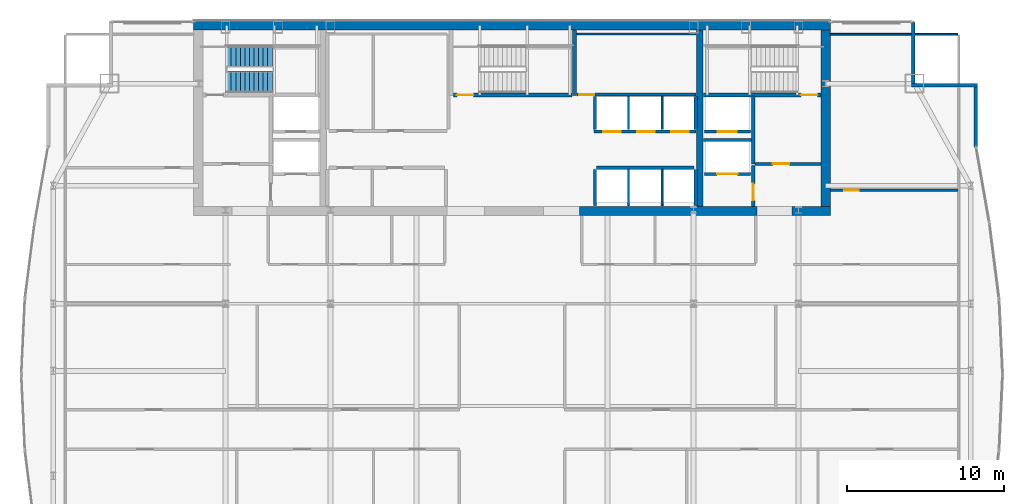
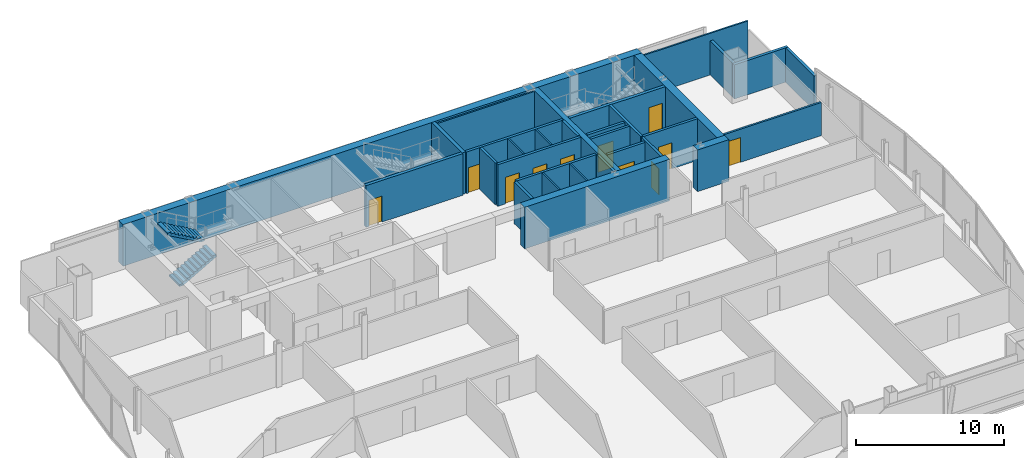
# One storey, part 27 of 30: 31 walls, 11 doors, 2 stair flights, 11 openings, 1 element without a shape of its own.
"""IFC4 building model written with IfcOpenShell, lengths in metres."""

from ifc_helpers import new_model, si_unit, direction, frame, frame_2d, origin, place, context, subcontext, project, spatial, polyline, rectangle, outline, extrude, material, layer, layer_set, type_object, element, fill, aggregate, save


model = new_model("IFC4")

# Units and contexts
model_context = context("Model", 3, precision=1e-05, world=origin(), true_north=direction((0.0, 1.0)))
body_context = subcontext(model_context, "Body", "Model", "MODEL_VIEW")
ifc_project = project(units=[si_unit("LENGTHUNIT", "METRE"), si_unit("AREAUNIT", "SQUARE_METRE"), si_unit("VOLUMEUNIT", "CUBIC_METRE"), si_unit("PLANEANGLEUNIT", "RADIAN"), si_unit("MASSUNIT", "GRAM", prefix="KILO")], contexts=[model_context])

# Site, building, storey
site_placement = place(None, origin())
site = spatial("IfcSite", under=ifc_project, at=site_placement, CompositionType="ELEMENT")
building_placement = place(site_placement, origin())
building = spatial("IfcBuilding", under=site, at=building_placement, Name="Khoronbel Lancet Exchange", CompositionType="ELEMENT")
storey_placement = place(building_placement, frame((0.0, 0.0, 203.0)))
storey = spatial("IfcBuildingStorey", under=building, at=storey_placement, Name="L51", CompositionType="ELEMENT", Elevation=203.0)

# Walls
ifc_material_1 = material(Name="Concrete C60/75", Category="concrete")
ifc_layer_1 = layer(ifc_material_1, 0.60009765625, Name="Concrete C60/75")
ifc_layer_set_1 = layer_set([ifc_layer_1], Name="Concrete C60/75")
wall_type_1 = type_object("IfcWallType", Name="WL-CW3", PredefinedType="SHEAR", material=ifc_layer_set_1)
wall_1_placement = place(storey_placement, frame((16.199951171875, 53.39990234375, 0.0), z_axis=(0.0, 0.0, 1.0), x_axis=(1.0, 0.0, 0.0)))
element("IfcWall", 1, at=wall_1_placement, inside=storey, type_object=wall_type_1, Name="Level L51 rear core north shear wall", PredefinedType="SHEAR", context=body_context, shape_type="SweptSolid", body=[
    extrude(rectangle(XDim=40.5, YDim=0.60009765625, at=frame_2d((20.25, 0.0))), origin(), (0.0, 0.0, 1.0), 3.43994140625),
])
wall_2_placement = place(storey_placement, frame((56.39990234375, 53.10009765625, 0.0), z_axis=(0.0, 0.0, 1.0), x_axis=(0.0, -1.0, 0.0)))
element("IfcWall", 2, at=wall_2_placement, inside=storey, type_object=wall_type_1, Name="Level L51 rear core east shear wall", PredefinedType="SHEAR", context=body_context, shape_type="SweptSolid", body=[
    extrude(rectangle(XDim=11.2001953125, YDim=0.60009765625, at=frame_2d((5.60009765625, 0.0))), origin(), (0.0, 0.0, 1.0), 3.43994140625),
])
wall_3_placement = place(storey_placement, frame((52.050048828125, 41.60009765625, 0.0), z_axis=(0.0, 0.0, 1.0), x_axis=(-1.0, 0.0, 0.0)))
element("IfcWall", 3, at=wall_3_placement, inside=storey, type_object=wall_type_1, Name="Level L51 rear core south shear wall pier P4", PredefinedType="SHEAR", context=body_context, shape_type="SweptSolid", body=[
    extrude(rectangle(XDim=11.300048828125, YDim=0.60009765625, at=frame_2d((5.64990234375, 0.0))), origin(), (0.0, 0.0, 1.0), 3.43994140625),
])
wall_4_placement = place(storey_placement, frame((56.699951171875, 41.60009765625, 0.0), z_axis=(0.0, 0.0, 1.0), x_axis=(-1.0, 0.0, 0.0)))
element("IfcWall", 4, at=wall_4_placement, inside=storey, type_object=wall_type_1, Name="Level L51 rear core south shear wall pier P5", PredefinedType="SHEAR", context=body_context, shape_type="SweptSolid", body=[
    extrude(rectangle(XDim=2.449951171875, YDim=0.60009765625, at=frame_2d((1.22509765625, 0.0))), origin(), (0.0, 0.0, 1.0), 3.43994140625),
])
ifc_material_2 = material(Name="Precast concrete C40/50", Category="concrete")
ifc_layer_2 = layer(ifc_material_2, 0.25, Name="Precast concrete C40/50")
ifc_layer_set_2 = layer_set([ifc_layer_2], Name="Precast concrete C40/50")
wall_type_2 = type_object("IfcWallType", Name="WL-EXT250", PredefinedType="SOLIDWALL", material=ifc_layer_set_2)
wall_5_placement = place(storey_placement, frame((61.9599609375, 53.6298828125, 0.0), z_axis=(0.0, 0.0, 1.0), x_axis=(0.0, -1.0, 0.0)))
element("IfcWall", 5, at=wall_5_placement, inside=storey, type_object=wall_type_2, Name="Level L51 notched-corner limestone pier 14", PredefinedType="SOLIDWALL", context=body_context, shape_type="SweptSolid", body=[
    extrude(rectangle(XDim=3.909912109375, YDim=0.219970703125, at=frame_2d((1.955078125, 0.0))), origin(), (0.0, 0.0, 1.0), 2.830078125),
])
wall_6_placement = place(storey_placement, frame((61.85009765625, 49.610107421875, 0.0), z_axis=(0.0, 0.0, 1.0), x_axis=(1.0, 0.0, 0.0)))
element("IfcWall", 6, at=wall_6_placement, inside=storey, type_object=wall_type_2, Name="Level L51 notched-corner limestone pier 15", PredefinedType="SOLIDWALL", context=body_context, shape_type="SweptSolid", body=[
    extrude(rectangle(XDim=4.219970703125, YDim=0.219970703125, at=frame_2d((2.10986328125, 0.0))), origin(), (0.0, 0.0, 1.0), 2.830078125),
])
wall_7_placement = place(storey_placement, frame((65.9599609375, 49.5, 0.0), z_axis=(0.0, 0.0, 1.0), x_axis=(0.0, -1.0, 0.0)))
element("IfcWall", 7, at=wall_7_placement, inside=storey, type_object=wall_type_2, Name="Level L51 notched-corner limestone pier 16", PredefinedType="SOLIDWALL", context=body_context, shape_type="SweptSolid", body=[
    extrude(rectangle(XDim=3.827880859375, YDim=0.219970703125, at=frame_2d((1.9140625, 0.0))), origin(), (0.0, 0.0, 1.0), 2.830078125),
])

# Wall, opening, door
ifc_material_3 = material(Name="Acoustic Metal-Stud & Mineral-Wool Gypsum Partition 120 mm", Category="gypsum")
ifc_layer_3 = layer(ifc_material_3, 0.1201171875, Name="Acoustic Metal-Stud & Mineral-Wool Gypsum Partition 120 mm")
ifc_layer_set_3 = layer_set([ifc_layer_3], Name="Acoustic Metal-Stud & Mineral-Wool Gypsum Partition 120 mm")
wall_type_3 = type_object("IfcWallType", Name="WL-PRT120", PredefinedType="PARTITIONING", material=ifc_layer_set_3)
wall_8_placement = place(storey_placement, frame((56.699951171875, 42.919921875, 0.0), z_axis=(0.0, 0.0, 1.0), x_axis=(1.0, 0.0, 0.0)))
wall_8 = element("IfcWall", 8, at=wall_8_placement, inside=storey, type_object=wall_type_3, Name="Level L51 interior partition PW-NE-H", PredefinedType="PARTITIONING", context=body_context, shape_type="SweptSolid", body=[
    extrude(rectangle(XDim=8.10498046875, YDim=0.14990234375, at=frame_2d((4.052490234375, 0.0))), origin(), (0.0, 0.0, 1.0), 2.72998046875),
])
opening_1_placement = place(wall_8_placement, frame((0.89990234375, 0.0, 0.0)))
opening_1 = element("IfcOpeningElement", 9, at=opening_1_placement, cuts=wall_8, Name="Opening D5", PredefinedType="OPENING", context=body_context, shape_type="SweptSolid", body=[
    extrude(rectangle(XDim=0.89990234375, YDim=2.050048828125, at=frame_2d((0.449951171875, 1.02490234375))), frame((0.0, 0.0849609375, 0.0), z_axis=(0.0, -1.0, 0.0), x_axis=(1.0, 0.0, 0.0)), (0.0, 0.0, 1.0), 0.169921875),
])
ifc_material_4 = material(Name="Acoustic Timber Pantry & Support Door", Category="wood")
door_type_1 = type_object("IfcDoorType", Name="DR-D5", OperationType="NOTDEFINED", PredefinedType="DOOR", material=ifc_material_4)
door_1_placement = place(opening_1_placement, origin())
door_1 = element("IfcDoor", 10, at=door_1_placement, inside=storey, type_object=door_type_1, Name="NE north room door L51-1", OperationType="SINGLE_SWING_RIGHT", OverallHeight=2.050048828125, OverallWidth=0.89990234375, PredefinedType="DOOR", context=body_context, shape_type="SweptSolid", body=[
    extrude(rectangle(XDim=0.89990234375, YDim=2.050048828125, at=frame_2d((0.449951171875, 1.02490234375))), frame((0.0, 0.02490234375, 0.0), z_axis=(0.0, -1.0, 0.0), x_axis=(1.0, 0.0, 0.0)), (0.0, 0.0, 1.0), 0.050048828125),
])
fill(opening_1, door_1)

# Walls
wall_9_placement = place(storey_placement, frame((56.699951171875, 52.840087890625, 0.0), z_axis=(0.0, 0.0, 1.0), x_axis=(1.0, 0.0, 0.0)))
element("IfcWall", 11, at=wall_9_placement, inside=storey, type_object=wall_type_3, Name="Level L51 interior partition PW-LIN-NE", PredefinedType="PARTITIONING", context=body_context, shape_type="SweptSolid", body=[
    extrude(rectangle(XDim=8.10498046875, YDim=0.1201171875, at=frame_2d((4.052490234375, 0.0))), origin(), (0.0, 0.0, 1.0), 3.43994140625),
])
ifc_material_5 = material(Name="Fire-Rated Metal-Stud & Mineral-Wool Gypsum Partition 120 mm", Category="gypsum")
ifc_layer_4 = layer(ifc_material_5, 0.1201171875, Name="Fire-Rated Metal-Stud & Mineral-Wool Gypsum Partition 120 mm")
ifc_layer_set_4 = layer_set([ifc_layer_4], Name="Fire-Rated Metal-Stud & Mineral-Wool Gypsum Partition 120 mm")
wall_type_4 = type_object("IfcWallType", Name="WL-PRT120F", PredefinedType="PARTITIONING", material=ifc_layer_set_4)
for number, where, z_axis, x_axis, name in (
    (12, (43.860107421875, 46.800048828125, 0.0), (0.0, 0.0, 1.0), (0.0, 1.0, 0.0), "Level L51 interior partition CW-PH-D1"),
    (13, (46.0, 46.800048828125, 0.0), (0.0, 0.0, 1.0), (0.0, 1.0, 0.0), "Level L51 interior partition CW-PH-D2"),
):
    element("IfcWall", number, at=place(storey_placement, frame(where, z_axis=z_axis, x_axis=x_axis)), inside=storey, type_object=wall_type_4, Name=name, PredefinedType="PARTITIONING", context=body_context, shape_type="SweptSolid", body=[
        extrude(rectangle(XDim=2.094970703125, YDim=0.1201171875, at=frame_2d((1.04736328125, 0.0))), origin(), (0.0, 0.0, 1.0), 3.43994140625),
    ])
for number, where, z_axis, x_axis, name in (
    (14, (43.860107421875, 41.949951171875, 0.0), (0.0, 0.0, 1.0), (0.0, 1.0, 0.0), "Level L51 interior partition CW-PX-D1"),
    (15, (46.0, 41.949951171875, 0.0), (0.0, 0.0, 1.0), (0.0, 1.0, 0.0), "Level L51 interior partition CW-PX-D2"),
):
    element("IfcWall", number, at=place(storey_placement, frame(where, z_axis=z_axis, x_axis=x_axis)), inside=storey, type_object=wall_type_4, Name=name, PredefinedType="PARTITIONING", context=body_context, shape_type="SweptSolid", body=[
        extrude(rectangle(XDim=2.295166015625, YDim=0.1201171875, at=frame_2d((1.1474609375, 0.0))), origin(), (0.0, 0.0, 1.0), 3.43994140625),
    ])
wall_10_placement = place(storey_placement, frame((40.580078125, 52.860107421875, 0.0), z_axis=(0.0, 0.0, 1.0), x_axis=(1.0, 0.0, 0.0)))
element("IfcWall", 16, at=wall_10_placement, inside=storey, type_object=wall_type_4, Name="Level L51 interior partition CW-SUP-NE-N", PredefinedType="PARTITIONING", context=body_context, shape_type="SweptSolid", body=[
    extrude(rectangle(XDim=7.559814453125, YDim=0.1201171875, at=frame_2d((3.77978515625, 0.0))), origin(), (0.0, 0.0, 1.0), 3.43994140625),
])

# Wall, opening, door
ifc_material_6 = material(Name="Autoclaved Aerated Concrete Blockwork 200 mm", Category="masonry")
ifc_layer_5 = layer(ifc_material_6, 0.199951171875, Name="Autoclaved Aerated Concrete Blockwork 200 mm")
ifc_layer_set_5 = layer_set([ifc_layer_5], Name="Autoclaved Aerated Concrete Blockwork 200 mm")
wall_type_5 = type_object("IfcWallType", Name="WL-PRT200", PredefinedType="PARTITIONING", material=ifc_layer_set_5)
wall_11_placement = place(storey_placement, frame((51.610107421875, 43.949951171875, 0.0), z_axis=(0.0, 0.0, 1.0), x_axis=(-1.0, 0.0, 0.0)))
wall_11 = element("IfcWall", 17, at=wall_11_placement, inside=storey, type_object=wall_type_5, Name="Level L51 elevator hoistway landing front wall SVLE", PredefinedType="PARTITIONING", context=body_context, shape_type="SweptSolid", body=[
    extrude(rectangle(XDim=2.920166015625, YDim=0.199951171875, at=frame_2d((1.4599609375, 0.0))), origin(), (0.0, 0.0, 1.0), 3.43994140625),
])
opening_2_placement = place(wall_11_placement, frame((0.81005859375, 0.0, 0.0)))
opening_2 = element("IfcOpeningElement", 18, at=opening_2_placement, cuts=wall_11, Name="Opening LD-SVL2", PredefinedType="OPENING", context=body_context, shape_type="SweptSolid", body=[
    extrude(rectangle(XDim=1.300048828125, YDim=2.179931640625, at=frame_2d((0.64990234375, 1.08984375))), frame((0.0, 0.10986328125, 0.0), z_axis=(0.0, -1.0, 0.0), x_axis=(1.0, 0.0, 0.0)), (0.0, 0.0, 1.0), 0.219970703125),
])
ifc_material_7 = material(Name="Heavy-Duty Bi-Parting Goods Lift Landing Door", Category="steel")
door_type_2 = type_object("IfcDoorType", Name="DR-LD-SVL", OperationType="NOTDEFINED", PredefinedType="DOOR", material=ifc_material_7)
door_2_placement = place(opening_2_placement, origin())
door_2 = element("IfcDoor", 19, at=door_2_placement, inside=storey, type_object=door_type_2, Name="Elevator landing sliding door LD-SVL2 L51", OperationType="SLIDING_TO_LEFT", OverallHeight=2.179931640625, OverallWidth=1.300048828125, PredefinedType="DOOR", context=body_context, shape_type="SweptSolid", body=[
    extrude(rectangle(XDim=1.300048828125, YDim=2.179931640625, at=frame_2d((0.64990234375, 1.08984375))), frame((0.0, 0.02490234375, 0.0), z_axis=(0.0, -1.0, 0.0), x_axis=(1.0, 0.0, 0.0)), (0.0, 0.0, 1.0), 0.050048828125),
])
fill(opening_2, door_2)

wall_12_placement = place(storey_placement, frame((51.610107421875, 46.64990234375, 0.0), z_axis=(0.0, 0.0, 1.0), x_axis=(-1.0, 0.0, 0.0)))
wall_12 = element("IfcWall", 20, at=wall_12_placement, inside=storey, type_object=wall_type_5, Name="Level L51 elevator hoistway landing front wall FFLE", PredefinedType="PARTITIONING", context=body_context, shape_type="SweptSolid", body=[
    extrude(rectangle(XDim=2.920166015625, YDim=0.199951171875, at=frame_2d((1.4599609375, 0.0))), origin(), (0.0, 0.0, 1.0), 3.43994140625),
])
opening_3_placement = place(wall_12_placement, frame((0.860107421875, 0.0, 0.0)))
opening_3 = element("IfcOpeningElement", 21, at=opening_3_placement, cuts=wall_12, Name="Opening LD-FFL2", PredefinedType="OPENING", context=body_context, shape_type="SweptSolid", body=[
    extrude(rectangle(XDim=1.199951171875, YDim=2.179931640625, at=frame_2d((0.60009765625, 1.08984375))), frame((0.0, 0.10986328125, 0.0), z_axis=(0.0, -1.0, 0.0), x_axis=(1.0, 0.0, 0.0)), (0.0, 0.0, 1.0), 0.219970703125),
])
ifc_material_8 = material(Name="Fire-Rated Stainless Bi-Parting Firefighting Lift Door", Category="steel")
door_type_3 = type_object("IfcDoorType", Name="DR-LD-FFL", OperationType="NOTDEFINED", PredefinedType="DOOR", material=ifc_material_8)
door_3_placement = place(opening_3_placement, origin())
door_3 = element("IfcDoor", 22, at=door_3_placement, inside=storey, type_object=door_type_3, Name="Elevator landing sliding door LD-FFL2 L51", OperationType="SLIDING_TO_LEFT", OverallHeight=2.179931640625, OverallWidth=1.199951171875, PredefinedType="DOOR", context=body_context, shape_type="SweptSolid", body=[
    extrude(rectangle(XDim=1.199951171875, YDim=2.179931640625, at=frame_2d((0.60009765625, 1.08984375))), frame((0.0, 0.02490234375, 0.0), z_axis=(0.0, -1.0, 0.0), x_axis=(1.0, 0.0, 0.0)), (0.0, 0.0, 1.0), 0.050048828125),
])
fill(opening_3, door_3)

# Wall, openings, doors
wall_13_placement = place(storey_placement, frame((48.159912109375, 46.64990234375, 0.0), z_axis=(0.0, 0.0, 1.0), x_axis=(-1.0, 0.0, 0.0)))
wall_13 = element("IfcWall", 23, at=wall_13_placement, inside=storey, type_object=wall_type_5, Name="Level L51 elevator hoistway landing front wall PHE", PredefinedType="PARTITIONING", context=body_context, shape_type="SweptSolid", body=[
    extrude(rectangle(XDim=6.47998046875, YDim=0.199951171875, at=frame_2d((3.239990234375, 0.0))), origin(), (0.0, 0.0, 1.0), 3.43994140625),
])
opening_4_placement = place(wall_13_placement, frame((4.800048828125, 0.0, 0.0)))
opening_4 = element("IfcOpeningElement", 24, at=opening_4_placement, cuts=wall_13, Name="Opening LD-PH1", PredefinedType="OPENING", context=body_context, shape_type="SweptSolid", body=[
    extrude(rectangle(XDim=1.10009765625, YDim=2.179931640625, at=frame_2d((0.550048828125, 1.08984375))), frame((0.0, 0.10986328125, 0.0), z_axis=(0.0, -1.0, 0.0), x_axis=(1.0, 0.0, 0.0)), (0.0, 0.0, 1.0), 0.219970703125),
])
opening_5_placement = place(wall_13_placement, frame((2.639892578125, 0.0, 0.0)))
opening_5 = element("IfcOpeningElement", 25, at=opening_5_placement, cuts=wall_13, Name="Opening LD-PH2", PredefinedType="OPENING", context=body_context, shape_type="SweptSolid", body=[
    extrude(rectangle(XDim=1.10009765625, YDim=2.179931640625, at=frame_2d((0.550048828125, 1.08984375))), frame((0.0, 0.10986328125, 0.0), z_axis=(0.0, -1.0, 0.0), x_axis=(1.0, 0.0, 0.0)), (0.0, 0.0, 1.0), 0.219970703125),
])
opening_6_placement = place(wall_13_placement, frame((0.47998046875, 0.0, 0.0)))
opening_6 = element("IfcOpeningElement", 26, at=opening_6_placement, cuts=wall_13, Name="Opening LD-PH3", PredefinedType="OPENING", context=body_context, shape_type="SweptSolid", body=[
    extrude(rectangle(XDim=1.10009765625, YDim=2.179931640625, at=frame_2d((0.550048828125, 1.08984375))), frame((0.0, 0.10986328125, 0.0), z_axis=(0.0, -1.0, 0.0), x_axis=(1.0, 0.0, 0.0)), (0.0, 0.0, 1.0), 0.219970703125),
])
ifc_material_9 = material(Name="Brushed Bronze Bi-Parting Elevator Landing Door", Category="steel")
door_type_4 = type_object("IfcDoorType", Name="DR-LD-PAX", OperationType="NOTDEFINED", PredefinedType="DOOR", material=ifc_material_9)
door_4_placement = place(opening_4_placement, origin())
door_4 = element("IfcDoor", 27, at=door_4_placement, inside=storey, type_object=door_type_4, Name="Elevator landing sliding door LD-PH1 L51", OperationType="SLIDING_TO_LEFT", OverallHeight=2.179931640625, OverallWidth=1.10009765625, PredefinedType="DOOR", context=body_context, shape_type="SweptSolid", body=[
    extrude(rectangle(XDim=1.10009765625, YDim=2.179931640625, at=frame_2d((0.550048828125, 1.08984375))), frame((0.0, 0.02490234375, 0.0), z_axis=(0.0, -1.0, 0.0), x_axis=(1.0, 0.0, 0.0)), (0.0, 0.0, 1.0), 0.050048828125),
])
fill(opening_4, door_4)
door_5_placement = place(opening_5_placement, origin())
door_5 = element("IfcDoor", 28, at=door_5_placement, inside=storey, type_object=door_type_4, Name="Elevator landing sliding door LD-PH2 L51", OperationType="SLIDING_TO_LEFT", OverallHeight=2.179931640625, OverallWidth=1.10009765625, PredefinedType="DOOR", context=body_context, shape_type="SweptSolid", body=[
    extrude(rectangle(XDim=1.10009765625, YDim=2.179931640625, at=frame_2d((0.550048828125, 1.08984375))), frame((0.0, 0.02490234375, 0.0), z_axis=(0.0, -1.0, 0.0), x_axis=(1.0, 0.0, 0.0)), (0.0, 0.0, 1.0), 0.050048828125),
])
fill(opening_5, door_5)
door_6_placement = place(opening_6_placement, origin())
door_6 = element("IfcDoor", 29, at=door_6_placement, inside=storey, type_object=door_type_4, Name="Elevator landing sliding door LD-PH3 L51", OperationType="SLIDING_TO_LEFT", OverallHeight=2.179931640625, OverallWidth=1.10009765625, PredefinedType="DOOR", context=body_context, shape_type="SweptSolid", body=[
    extrude(rectangle(XDim=1.10009765625, YDim=2.179931640625, at=frame_2d((0.550048828125, 1.08984375))), frame((0.0, 0.02490234375, 0.0), z_axis=(0.0, -1.0, 0.0), x_axis=(1.0, 0.0, 0.0)), (0.0, 0.0, 1.0), 0.050048828125),
])
fill(opening_6, door_6)

# Wall
wall_14_placement = place(storey_placement, frame((51.800048828125, 44.60009765625, 0.0), z_axis=(0.0, 0.0, 1.0), x_axis=(0.0, 1.0, 0.0)))
element("IfcWall", 30, at=wall_14_placement, inside=storey, type_object=wall_type_5, Name="Level L51 interior partition CW-FFLE-W", PredefinedType="PARTITIONING", context=body_context, shape_type="SweptSolid", body=[
    extrude(rectangle(XDim=4.2998046875, YDim=0.199951171875, at=frame_2d((2.14990234375, 0.0))), origin(), (0.0, 0.0, 1.0), 3.43994140625),
])

# Wall, opening, door
wall_15_placement = place(storey_placement, frame((51.89990234375, 44.60009765625, 0.0), z_axis=(0.0, 0.0, 1.0), x_axis=(1.0, 0.0, 0.0)))
wall_15 = element("IfcWall", 31, at=wall_15_placement, inside=storey, type_object=wall_type_5, Name="Level L51 interior partition CW-FFLE-S", PredefinedType="PARTITIONING", context=body_context, shape_type="SweptSolid", body=[
    extrude(rectangle(XDim=4.2001953125, YDim=0.199951171875, at=frame_2d((2.10009765625, 0.0))), origin(), (0.0, 0.0, 1.0), 3.43994140625),
])
opening_7_placement = place(wall_15_placement, frame((1.14990234375, 0.0, 0.0)))
opening_7 = element("IfcOpeningElement", 32, at=opening_7_placement, cuts=wall_15, Name="Opening FD1", PredefinedType="OPENING", context=body_context, shape_type="SweptSolid", body=[
    extrude(rectangle(XDim=1.050048828125, YDim=2.14990234375, at=frame_2d((0.52490234375, 1.074951171875))), frame((0.0, 0.10986328125, 0.0), z_axis=(0.0, -1.0, 0.0), x_axis=(1.0, 0.0, 0.0)), (0.0, 0.0, 1.0), 0.219970703125),
])
ifc_material_10 = material(Name="Fire-Rated Painted Steel Door Assembly", Category="steel")
door_type_5 = type_object("IfcDoorType", Name="DR-FD1", OperationType="NOTDEFINED", PredefinedType="DOOR", material=ifc_material_10)
door_7_placement = place(opening_7_placement, origin())
door_7 = element("IfcDoor", 33, at=door_7_placement, inside=storey, type_object=door_type_5, Name="East firefighting lobby FD90S door L51-1", OperationType="SINGLE_SWING_LEFT", OverallHeight=2.14990234375, OverallWidth=1.050048828125, PredefinedType="DOOR", context=body_context, shape_type="SweptSolid", body=[
    extrude(rectangle(XDim=1.050048828125, YDim=2.14990234375, at=frame_2d((0.52490234375, 1.074951171875))), frame((0.0, 0.02490234375, 0.0), z_axis=(0.0, -1.0, 0.0), x_axis=(1.0, 0.0, 0.0)), (0.0, 0.0, 1.0), 0.050048828125),
])
fill(opening_7, door_7)

# Wall
wall_16_placement = place(storey_placement, frame((48.6298828125, 46.1201171875, 0.0), z_axis=(0.0, 0.0, 1.0), x_axis=(1.0, 0.0, 0.0)))
element("IfcWall", 34, at=wall_16_placement, inside=storey, type_object=wall_type_5, Name="Level L51 interior partition CW-FFL2-S", PredefinedType="PARTITIONING", context=body_context, shape_type="SweptSolid", body=[
    extrude(rectangle(XDim=3.070068359375, YDim=0.199951171875, at=frame_2d((1.53515625, 0.0))), origin(), (0.0, 0.0, 1.0), 3.43994140625),
])

# Wall, opening, door
wall_17_placement = place(storey_placement, frame((51.800048828125, 41.89990234375, 0.0), z_axis=(0.0, 0.0, 1.0), x_axis=(0.0, 1.0, 0.0)))
wall_17 = element("IfcWall", 35, at=wall_17_placement, inside=storey, type_object=wall_type_5, Name="Level L51 interior partition CW-SVLE-E", PredefinedType="PARTITIONING", context=body_context, shape_type="SweptSolid", body=[
    extrude(rectangle(XDim=2.59521484375, YDim=0.199951171875, at=frame_2d((1.297607421875, 0.0))), origin(), (0.0, 0.0, 1.0), 3.43994140625),
])
opening_8_placement = place(wall_17_placement, frame((0.3798828125, 0.0, 0.0)))
opening_8 = element("IfcOpeningElement", 36, at=opening_8_placement, cuts=wall_17, Name="Opening FD1", PredefinedType="OPENING", context=body_context, shape_type="SweptSolid", body=[
    extrude(rectangle(XDim=1.050048828125, YDim=2.14990234375, at=frame_2d((0.52490234375, 1.074951171875))), frame((0.0, 0.10986328125, 0.0), z_axis=(0.0, -1.0, 0.0), x_axis=(1.0, 0.0, 0.0)), (0.0, 0.0, 1.0), 0.219970703125),
])
door_8_placement = place(opening_8_placement, origin())
door_8 = element("IfcDoor", 37, at=door_8_placement, inside=storey, type_object=door_type_5, Name="East service lift lobby door L51-1", OperationType="SINGLE_SWING_RIGHT", OverallHeight=2.14990234375, OverallWidth=1.050048828125, PredefinedType="DOOR", context=body_context, shape_type="SweptSolid", body=[
    extrude(rectangle(XDim=1.050048828125, YDim=2.14990234375, at=frame_2d((0.52490234375, 1.074951171875))), frame((0.0, 0.02490234375, 0.0), z_axis=(0.0, -1.0, 0.0), x_axis=(1.0, 0.0, 0.0)), (0.0, 0.0, 1.0), 0.050048828125),
])
fill(opening_8, door_8)

# Walls
for number, where, z_axis, x_axis, name in (
    (38, (41.719970703125, 46.800048828125, 0.0), (0.0, 0.0, 1.0), (0.0, 1.0, 0.0), "Level L51 interior partition CW-PH-W"),
    (39, (48.139892578125, 46.800048828125, 0.0), (0.0, 0.0, 1.0), (0.0, 1.0, 0.0), "Level L51 interior partition CW-PH-E"),
):
    element("IfcWall", number, at=place(storey_placement, frame(where, z_axis=z_axis, x_axis=x_axis)), inside=storey, type_object=wall_type_5, Name=name, PredefinedType="PARTITIONING", context=body_context, shape_type="SweptSolid", body=[
        extrude(rectangle(XDim=2.094970703125, YDim=0.199951171875, at=frame_2d((1.04736328125, 0.0))), origin(), (0.0, 0.0, 1.0), 3.43994140625),
    ])
wall_18_placement = place(storey_placement, frame((41.824951171875, 44.35009765625, 0.0), z_axis=(0.0, 0.0, 1.0), x_axis=(1.0, 0.0, 0.0)))
element("IfcWall", 40, at=wall_18_placement, inside=storey, type_object=wall_type_5, Name="Level L51 interior partition CW-PX-EXP", PredefinedType="PARTITIONING", context=body_context, shape_type="SweptSolid", body=[
    extrude(rectangle(XDim=6.2099609375, YDim=0.199951171875, at=frame_2d((3.10498046875, 0.0))), origin(), (0.0, 0.0, 1.0), 3.43994140625),
])
for number, where, z_axis, x_axis, name in (
    (41, (41.719970703125, 41.949951171875, 0.0), (0.0, 0.0, 1.0), (0.0, 1.0, 0.0), "Level L51 interior partition CW-PX-W"),
    (42, (48.139892578125, 41.949951171875, 0.0), (0.0, 0.0, 1.0), (0.0, 1.0, 0.0), "Level L51 interior partition CW-PX-E"),
):
    element("IfcWall", number, at=place(storey_placement, frame(where, z_axis=z_axis, x_axis=x_axis)), inside=storey, type_object=wall_type_5, Name=name, PredefinedType="PARTITIONING", context=body_context, shape_type="SweptSolid", body=[
        extrude(rectangle(XDim=2.295166015625, YDim=0.199951171875, at=frame_2d((1.1474609375, 0.0))), origin(), (0.0, 0.0, 1.0), 3.43994140625),
    ])

# Wall, opening, door
wall_19_placement = place(storey_placement, frame((40.580078125, 49.0, 0.0), z_axis=(0.0, 0.0, 1.0), x_axis=(1.0, 0.0, 0.0)))
wall_19 = element("IfcWall", 43, at=wall_19_placement, inside=storey, type_object=wall_type_5, Name="Level L51 interior partition CW-SUP-NE-S", PredefinedType="PARTITIONING", context=body_context, shape_type="SweptSolid", body=[
    extrude(rectangle(XDim=7.559814453125, YDim=0.199951171875, at=frame_2d((3.77978515625, 0.0))), origin(), (0.0, 0.0, 1.0), 3.43994140625),
])
opening_9_placement = place(wall_19_placement, frame((0.159912109375, 0.0, 0.0)))
opening_9 = element("IfcOpeningElement", 44, at=opening_9_placement, cuts=wall_19, Name="Opening FD3", PredefinedType="OPENING", context=body_context, shape_type="SweptSolid", body=[
    extrude(rectangle(XDim=0.949951171875, YDim=2.10009765625, at=frame_2d((0.47509765625, 1.050048828125))), frame((0.0, 0.10986328125, 0.0), z_axis=(0.0, -1.0, 0.0), x_axis=(1.0, 0.0, 0.0)), (0.0, 0.0, 1.0), 0.219970703125),
])
ifc_material_11 = material(Name="Fire-Rated Steel Plant & Riser Door Assembly", Category="steel")
door_type_6 = type_object("IfcDoorType", Name="DR-FD3", OperationType="NOTDEFINED", PredefinedType="DOOR", material=ifc_material_11)
door_9_placement = place(opening_9_placement, origin())
door_9 = element("IfcDoor", 45, at=door_9_placement, inside=storey, type_object=door_type_6, Name="Core NE support room door L51-1", OperationType="SINGLE_SWING_LEFT", OverallHeight=2.10009765625, OverallWidth=0.949951171875, PredefinedType="DOOR", context=body_context, shape_type="SweptSolid", body=[
    extrude(rectangle(XDim=0.949951171875, YDim=2.10009765625, at=frame_2d((0.47509765625, 1.050048828125))), frame((0.0, 0.02490234375, 0.0), z_axis=(0.0, -1.0, 0.0), x_axis=(1.0, 0.0, 0.0)), (0.0, 0.0, 1.0), 0.050048828125),
])
fill(opening_9, door_9)

# Walls
ifc_layer_6 = layer(ifc_material_1, 0.39990234375, Name="Concrete C60/75")
ifc_layer_set_6 = layer_set([ifc_layer_6], Name="Concrete C60/75")
wall_type_6 = type_object("IfcWallType", Name="WL-SW2", PredefinedType="SHEAR", material=ifc_layer_set_6)
wall_20_placement = place(storey_placement, frame((48.39990234375, 41.89990234375, 0.0), z_axis=(0.0, 0.0, 1.0), x_axis=(0.0, 1.0, 0.0)))
element("IfcWall", 46, at=wall_20_placement, inside=storey, type_object=wall_type_6, Name="Level L51 rear core internal spine shear wall IE", PredefinedType="SHEAR", context=body_context, shape_type="SweptSolid", body=[
    extrude(rectangle(XDim=11.2001953125, YDim=0.39990234375, at=frame_2d((5.60009765625, 0.0))), origin(), (0.0, 0.0, 1.0), 3.43994140625),
])
ifc_layer_7 = layer(ifc_material_1, 0.260009765625, Name="Concrete C60/75")
ifc_layer_set_7 = layer_set([ifc_layer_7], Name="Concrete C60/75")
wall_type_7 = type_object("IfcWallType", Name="WL-SW3", PredefinedType="SHEAR", material=ifc_layer_set_7)
wall_21_placement = place(storey_placement, frame((40.419921875, 48.949951171875, 0.0), z_axis=(0.0, 0.0, 1.0), x_axis=(0.0, 1.0, 0.0)))
element("IfcWall", 47, at=wall_21_placement, inside=storey, type_object=wall_type_7, Name="Level L51 central stairwell structural shear wall ST3E", PredefinedType="SHEAR", context=body_context, shape_type="SweptSolid", body=[
    extrude(rectangle(XDim=4.150146484375, YDim=0.260009765625, at=frame_2d((2.0751953125, 0.0))), origin(), (0.0, 0.0, 1.0), 3.43994140625),
])

# Wall, opening, door
wall_22_placement = place(storey_placement, frame((48.6298828125, 48.97998046875, 0.0), z_axis=(0.0, 0.0, 1.0), x_axis=(1.0, 0.0, 0.0)))
wall_22 = element("IfcWall", 48, at=wall_22_placement, inside=storey, type_object=wall_type_7, Name="Level L51 east stairwell structural south wall", PredefinedType="SHEAR", context=body_context, shape_type="SweptSolid", body=[
    extrude(rectangle(XDim=7.47021484375, YDim=0.239990234375, at=frame_2d((3.735107421875, 0.0))), origin(), (0.0, 0.0, 1.0), 3.43994140625),
])
opening_10_placement = place(wall_22_placement, frame((6.199951171875, 0.0, 0.0)))
opening_10 = element("IfcOpeningElement", 49, at=opening_10_placement, cuts=wall_22, Name="Opening SD1", PredefinedType="OPENING", context=body_context, shape_type="SweptSolid", body=[
    extrude(rectangle(XDim=1.050048828125, YDim=2.14990234375, at=frame_2d((0.52490234375, 1.074951171875))), frame((0.0, 0.1298828125, 0.0), z_axis=(0.0, -1.0, 0.0), x_axis=(1.0, 0.0, 0.0)), (0.0, 0.0, 1.0), 0.260009765625),
])
ifc_material_12 = material(Name="Fire-Rated Steel Stairwell Door Assembly", Category="steel")
door_type_7 = type_object("IfcDoorType", Name="DR-SD1", OperationType="NOTDEFINED", PredefinedType="DOOR", material=ifc_material_12)
door_10_placement = place(opening_10_placement, origin())
door_10 = element("IfcDoor", 50, at=door_10_placement, inside=storey, type_object=door_type_7, Name="Protected exit stair ST2 door L51", OperationType="SINGLE_SWING_RIGHT", OverallHeight=2.14990234375, OverallWidth=1.050048828125, PredefinedType="DOOR", context=body_context, shape_type="SweptSolid", body=[
    extrude(rectangle(XDim=1.050048828125, YDim=2.14990234375, at=frame_2d((0.52490234375, 1.074951171875))), frame((0.0, 0.02490234375, 0.0), z_axis=(0.0, -1.0, 0.0), x_axis=(1.0, 0.0, 0.0)), (0.0, 0.0, 1.0), 0.050048828125),
])
fill(opening_10, door_10)

wall_23_placement = place(storey_placement, frame((32.719970703125, 48.97998046875, 0.0), z_axis=(0.0, 0.0, 1.0), x_axis=(1.0, 0.0, 0.0)))
wall_23 = element("IfcWall", 51, at=wall_23_placement, inside=storey, type_object=wall_type_7, Name="Level L51 central stairwell structural south wall", PredefinedType="SHEAR", context=body_context, shape_type="SweptSolid", body=[
    extrude(rectangle(XDim=7.56005859375, YDim=0.239990234375, at=frame_2d((3.780029296875, 0.0))), origin(), (0.0, 0.0, 1.0), 3.43994140625),
])
opening_11_placement = place(wall_23_placement, frame((0.219970703125, 0.0, 0.0)))
opening_11 = element("IfcOpeningElement", 52, at=opening_11_placement, cuts=wall_23, Name="Opening SD1", PredefinedType="OPENING", context=body_context, shape_type="SweptSolid", body=[
    extrude(rectangle(XDim=1.050048828125, YDim=2.14990234375, at=frame_2d((0.52490234375, 1.074951171875))), frame((0.0, 0.1298828125, 0.0), z_axis=(0.0, -1.0, 0.0), x_axis=(1.0, 0.0, 0.0)), (0.0, 0.0, 1.0), 0.260009765625),
])
door_11_placement = place(opening_11_placement, origin())
door_11 = element("IfcDoor", 53, at=door_11_placement, inside=storey, type_object=door_type_7, Name="Protected exit stair ST3 door L51", OperationType="SINGLE_SWING_LEFT", OverallHeight=2.14990234375, OverallWidth=1.050048828125, PredefinedType="DOOR", context=body_context, shape_type="SweptSolid", body=[
    extrude(rectangle(XDim=1.050048828125, YDim=2.14990234375, at=frame_2d((0.52490234375, 1.074951171875))), frame((0.0, 0.02490234375, 0.0), z_axis=(0.0, -1.0, 0.0), x_axis=(1.0, 0.0, 0.0)), (0.0, 0.0, 1.0), 0.050048828125),
])
fill(opening_11, door_11)

# Stair, stair flights
ifc_material_13 = material(Name="Concrete C40/50", Category="concrete")
stair_type = type_object("IfcStairType", Name="STR-CORE150", PredefinedType="HALF_TURN_STAIR", material=ifc_material_13)
stair_placement = place(storey_placement, origin())
stair = element("IfcStair", 54, at=stair_placement, inside=storey, type_object=stair_type, Name="L51 Protected Exit Stair ST1", PredefinedType="HALF_TURN_STAIR")
stair_flight_type = type_object("IfcStairFlightType", Name="STF-150", PredefinedType="STRAIGHT", material=ifc_material_13)
stair_flight_1_placement = place(storey_placement, frame((18.300048828125, 49.81005859375, 0.0), z_axis=(0.0, 0.0, 1.0), x_axis=(1.0, 0.0, 0.0)))
stair_flight_1 = element("IfcStairFlight", 55, at=stair_flight_1_placement, type_object=stair_flight_type, Name="ST1 flight 1", NumberOfRisers=11, NumberOfTreads=10, PredefinedType="STRAIGHT", RiserHeight=0.163636364, TreadLength=0.29, context=body_context, shape_type="SweptSolid", body=[
    extrude(outline(polyline([(0.0, 0.0), (0.0, 0.16357421875), (0.2900390625, 0.16357421875), (0.2900390625, 0.327392578125), (0.580078125, 0.327392578125), (0.580078125, 0.490966796875), (0.8701171875, 0.490966796875), (0.8701171875, 0.654541015625), (1.159912109375, 0.654541015625), (1.159912109375, 0.818115234375), (1.449951171875, 0.818115234375), (1.449951171875, 0.98193359375), (1.739990234375, 0.98193359375), (1.739990234375, 1.1455078125), (2.030029296875, 1.1455078125), (2.030029296875, 1.30908203125), (2.320068359375, 1.30908203125), (2.320068359375, 1.47265625), (2.610107421875, 1.47265625), (2.610107421875, 1.636474609375), (2.89990234375, 1.636474609375), (2.89990234375, 1.800048828125), (2.89990234375, 1.46435546875), (0.304931640625, 0.0), (0.0, 0.0)])), frame((0.0, 0.68994140625, 0.0), z_axis=(0.0, -1.0, 0.0), x_axis=(1.0, 0.0, 0.0)), (0.0, 0.0, 1.0), 1.3798828125),
])
stair_flight_2_placement = place(storey_placement, frame((21.199951171875, 51.409912109375, 1.800048828125), z_axis=(0.0, 0.0, 1.0), x_axis=(-1.0, 0.0, 0.0)))
stair_flight_2 = element("IfcStairFlight", 56, at=stair_flight_2_placement, type_object=stair_flight_type, Name="ST1 flight 2", NumberOfRisers=11, NumberOfTreads=10, PredefinedType="STRAIGHT", RiserHeight=0.163636364, TreadLength=0.29, context=body_context, shape_type="SweptSolid", body=[
    extrude(outline(polyline([(0.0, 0.0), (0.0, 0.16357421875), (0.2900390625, 0.16357421875), (0.2900390625, 0.327392578125), (0.580078125, 0.327392578125), (0.580078125, 0.490966796875), (0.8701171875, 0.490966796875), (0.8701171875, 0.654541015625), (1.159912109375, 0.654541015625), (1.159912109375, 0.818115234375), (1.449951171875, 0.818115234375), (1.449951171875, 0.98193359375), (1.739990234375, 0.98193359375), (1.739990234375, 1.1455078125), (2.030029296875, 1.1455078125), (2.030029296875, 1.30908203125), (2.320068359375, 1.30908203125), (2.320068359375, 1.47265625), (2.610107421875, 1.47265625), (2.610107421875, 1.636474609375), (2.89990234375, 1.636474609375), (2.89990234375, 1.800048828125), (2.89990234375, 1.46435546875), (0.304931640625, 0.0), (0.0, 0.0)])), frame((0.0, 0.68994140625, 0.0), z_axis=(0.0, -1.0, 0.0), x_axis=(1.0, 0.0, 0.0)), (0.0, 0.0, 1.0), 1.3798828125),
])
aggregate(stair, [stair_flight_1, stair_flight_2])

save(model, "model.ifc")
